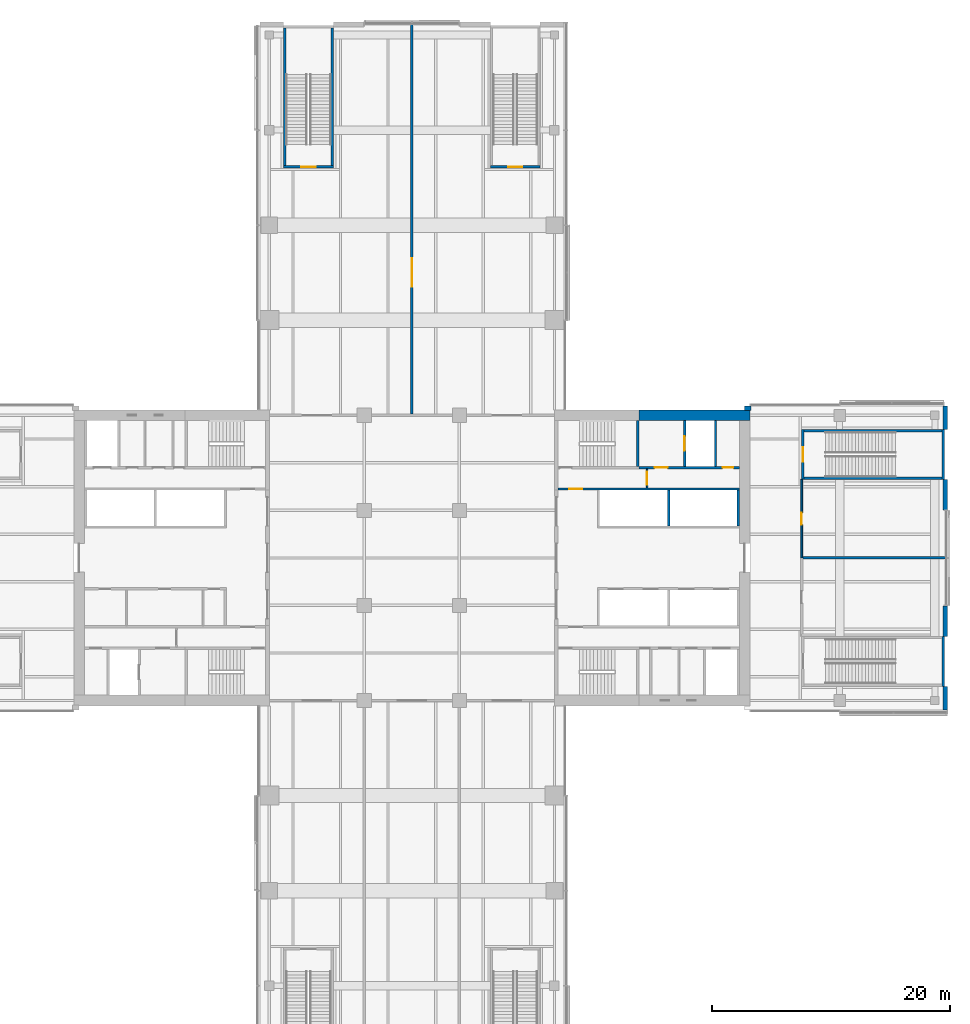
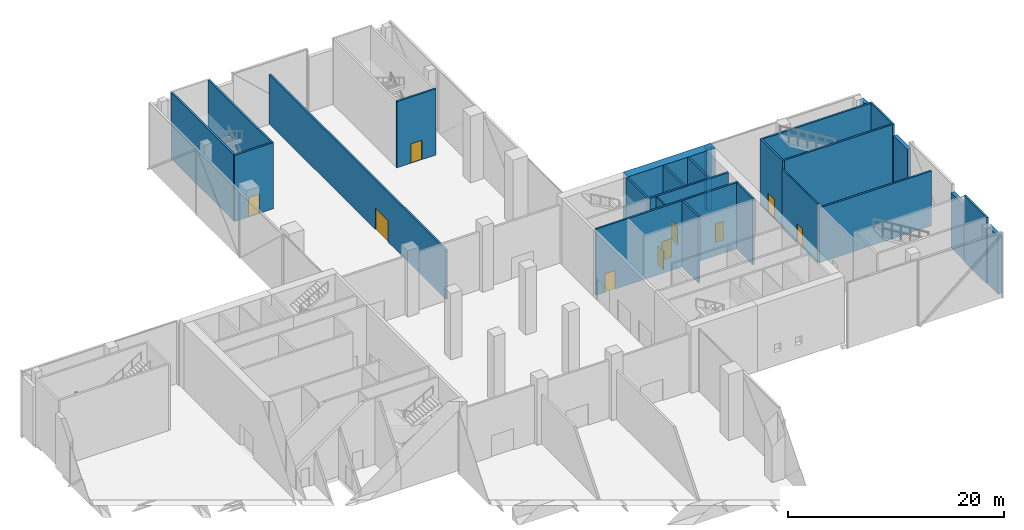
# One storey, part 17 of 25: 26 walls, 10 doors, 10 openings.
"""IFC4 building model written with IfcOpenShell, lengths in metres."""

from ifc_helpers import new_model, si_unit, direction, frame, frame_2d, origin, place, context, subcontext, project, spatial, rectangle, extrude, material, layer, layer_set, constituent, constituent_set, type_object, element, fill, save


model = new_model("IFC4")

# Units and contexts
model_context = context("Model", 3, precision=1e-05, world=origin(), true_north=direction((0.0, 1.0)))
body_context = subcontext(model_context, "Body", "Model", "MODEL_VIEW")
ifc_project = project(units=[si_unit("LENGTHUNIT", "METRE"), si_unit("AREAUNIT", "SQUARE_METRE"), si_unit("VOLUMEUNIT", "CUBIC_METRE"), si_unit("PLANEANGLEUNIT", "RADIAN"), si_unit("MASSUNIT", "GRAM", prefix="KILO")], contexts=[model_context])

# Site, building, storey
site_placement = place(None, origin())
site = spatial("IfcSite", under=ifc_project, at=site_placement, CompositionType="ELEMENT")
building_placement = place(site_placement, origin())
building = spatial("IfcBuilding", under=site, at=building_placement, Name="Crosswind Convention Tower", CompositionType="ELEMENT")
storey_placement = place(building_placement, frame((0.0, 0.0, 17.5)))
storey = spatial("IfcBuildingStorey", under=building, at=storey_placement, Name="L02", CompositionType="ELEMENT", Elevation=17.5)

# Wall, opening, door
ifc_material_1 = material(Name="Plasterboard partition", Category="gypsum")
ifc_layer_1 = layer(ifc_material_1, 0.14990234375)
ifc_layer_set_1 = layer_set([ifc_layer_1], Name="CORRIDOR WALL 150")
wall_type_1 = type_object("IfcWallType", Name="CORRIDOR WALL 150", PredefinedType="PARTITIONING", material=ifc_layer_set_1)
wall_1_placement = place(storey_placement, frame((157.800048828125, 100.0, 0.0), z_axis=(0.0, 0.0, 1.0), x_axis=(0.0, 1.0, 0.0)))
wall_1 = element("IfcWall", 1, at=wall_1_placement, inside=storey, type_object=wall_type_1, Name="Corridor Wall 40", PredefinedType="PARTITIONING", context=body_context, shape_type="SweptSolid", body=[
    extrude(rectangle(XDim=6.60009765625, YDim=0.14990234375, at=frame_2d((3.300048828125, 0.0))), origin(), (0.0, 0.0, 1.0), 6.636474609375),
])
opening_1_placement = place(wall_1_placement, frame((2.800048828125, 0.0, 0.0)))
opening_1 = element("IfcOpeningElement", 2, at=opening_1_placement, cuts=wall_1, Name="Opening 02.008", PredefinedType="OPENING", context=body_context, shape_type="SweptSolid", body=[
    extrude(rectangle(XDim=1.0, YDim=2.10009765625, at=frame_2d((0.5, 1.050048828125))), frame((0.0, 0.0849609375, 0.0), z_axis=(0.0, -1.0, 0.0), x_axis=(1.0, 0.0, 0.0)), (0.0, 0.0, 1.0), 0.169921875),
])
ifc_material_2 = material(Name="Timber fire door", Category="wood")
door_type_1 = type_object("IfcDoorType", Name="SERVICE ROOM DOOR 1000X2100", OperationType="NOTDEFINED", PredefinedType="DOOR", material=ifc_material_2)
door_1_placement = place(opening_1_placement, frame((1.0, 0.0, 0.0), z_axis=(0.0, 0.0, 1.0), x_axis=(-1.0, 0.0, 0.0)))
door_1 = element("IfcDoor", 3, at=door_1_placement, inside=storey, type_object=door_type_1, Name="Door 02.008", ObjectType="D3", OperationType="SINGLE_SWING_RIGHT", OverallHeight=2.10009765625, OverallWidth=1.0, PredefinedType="DOOR", context=body_context, shape_type="SweptSolid", body=[
    extrude(rectangle(XDim=1.0, YDim=2.10009765625, at=frame_2d((0.5, 1.050048828125))), frame((0.0, 0.02490234375, 0.0), z_axis=(0.0, -1.0, 0.0), x_axis=(1.0, 0.0, 0.0)), (0.0, 0.0, 1.0), 0.050048828125),
])
fill(opening_1, door_1)

# Walls
ifc_material_3 = material(Name="Concrete C50/60", Category="concrete")
ifc_layer_2 = layer(ifc_material_3, 0.199951171875)
ifc_layer_set_2 = layer_set([ifc_layer_2], Name="Concrete C50/60")
wall_type_2 = type_object("IfcWallType", Name="Concrete shaft and stair wall 200", PredefinedType="SHEAR", material=ifc_layer_set_2)
for number, where, z_axis, x_axis, name in (
    (4, (146.60009765625, 102.699951171875, 0.0), (0.0, 0.0, 1.0), (0.0, 1.0, 0.0), "Wall RPSEP E L02"),
    (5, (152.449951171875, 102.699951171875, 0.0), (0.0, 0.0, 1.0), (0.0, 1.0, 0.0), "Wall RPEAST E L02"),
):
    element("IfcWall", number, at=place(storey_placement, frame(where, z_axis=z_axis, x_axis=x_axis)), inside=storey, type_object=wall_type_2, Name=name, PredefinedType="SHEAR", context=body_context, shape_type="SweptSolid", body=[
        extrude(rectangle(XDim=3.0, YDim=0.199951171875, at=frame_2d((1.5, 0.0))), origin(), (0.0, 0.0, 1.0), 7.5),
    ])

# Wall, opening, door
wall_2_placement = place(storey_placement, frame((137.300048828125, 105.800048828125, 0.0), z_axis=(0.0, 0.0, 1.0), x_axis=(1.0, 0.0, 0.0)))
wall_2 = element("IfcWall", 6, at=wall_2_placement, inside=storey, type_object=wall_type_2, Name="Wall HP E L02", PredefinedType="SHEAR", context=body_context, shape_type="SweptSolid", body=[
    extrude(rectangle(XDim=15.25, YDim=0.199951171875, at=frame_2d((7.625, 0.0))), origin(), (0.0, 0.0, 1.0), 7.5),
])
opening_2_placement = place(wall_2_placement, frame((0.949951171875, 0.0, 0.0)))
opening_2 = element("IfcOpeningElement", 7, at=opening_2_placement, cuts=wall_2, Name="Opening D104", PredefinedType="OPENING", context=body_context, shape_type="SweptSolid", body=[
    extrude(rectangle(XDim=1.10009765625, YDim=2.10009765625, at=frame_2d((0.550048828125, 1.050048828125))), frame((0.0, 0.10986328125, 0.0), z_axis=(0.0, -1.0, 0.0), x_axis=(1.0, 0.0, 0.0)), (0.0, 0.0, 1.0), 0.219970703125),
])
ifc_material_4 = material(Name="Steel fire door", Category="steel")
door_type_2 = type_object("IfcDoorType", Name="Fire-rated single door 1100x2100", OperationType="NOTDEFINED", PredefinedType="DOOR", material=ifc_material_4)
door_2_placement = place(opening_2_placement, frame((1.10009765625, 0.0, 0.0), z_axis=(0.0, 0.0, 1.0), x_axis=(-1.0, 0.0, 0.0)))
door_2 = element("IfcDoor", 8, at=door_2_placement, inside=storey, type_object=door_type_2, Name="Corridor door L02", ObjectType="D104", OperationType="SINGLE_SWING_RIGHT", OverallHeight=2.10009765625, OverallWidth=1.10009765625, PredefinedType="DOOR", context=body_context, shape_type="SweptSolid", body=[
    extrude(rectangle(XDim=1.10009765625, YDim=2.10009765625, at=frame_2d((0.550048828125, 1.050048828125))), frame((0.0, 0.02490234375, 0.0), z_axis=(0.0, -1.0, 0.0), x_axis=(1.0, 0.0, 0.0)), (0.0, 0.0, 1.0), 0.050048828125),
])
fill(opening_2, door_2)

# Wall
wall_3_placement = place(storey_placement, frame((144.0, 107.699951171875, 0.0), z_axis=(0.0, 0.0, 1.0), x_axis=(0.0, 1.0, 0.0)))
element("IfcWall", 9, at=wall_3_placement, inside=storey, type_object=wall_type_2, Name="Wall PSE E L02", PredefinedType="SHEAR", context=body_context, shape_type="SweptSolid", body=[
    extrude(rectangle(XDim=3.85009765625, YDim=0.199951171875, at=frame_2d((1.925048828125, 0.0))), origin(), (0.0, 0.0, 1.0), 7.5),
])

# Wall, opening, door
wall_4_placement = place(storey_placement, frame((147.949951171875, 107.699951171875, 0.0), z_axis=(0.0, 0.0, 1.0), x_axis=(0.0, 1.0, 0.0)))
wall_4 = element("IfcWall", 10, at=wall_4_placement, inside=storey, type_object=wall_type_2, Name="Wall PFLW E L02", PredefinedType="SHEAR", context=body_context, shape_type="SweptSolid", body=[
    extrude(rectangle(XDim=3.85009765625, YDim=0.199951171875, at=frame_2d((1.925048828125, 0.0))), origin(), (0.0, 0.0, 1.0), 7.5),
])
opening_3_placement = place(wall_4_placement, frame((1.324951171875, 0.0, 0.0)))
opening_3 = element("IfcOpeningElement", 11, at=opening_3_placement, cuts=wall_4, Name="Opening LD1", PredefinedType="OPENING", context=body_context, shape_type="SweptSolid", body=[
    extrude(rectangle(XDim=1.199951171875, YDim=2.10009765625, at=frame_2d((0.60009765625, 1.050048828125))), frame((0.0, 0.10986328125, 0.0), z_axis=(0.0, -1.0, 0.0), x_axis=(1.0, 0.0, 0.0)), (0.0, 0.0, 1.0), 0.219970703125),
])
ifc_material_5 = material(Name="Stainless steel", Category="steel")
door_type_3 = type_object("IfcDoorType", Name="Lift landing door 1200x2100", OperationType="DOUBLE_DOOR_SLIDING", PredefinedType="DOOR", material=ifc_material_5)
door_3_placement = place(opening_3_placement, origin())
door_3 = element("IfcDoor", 12, at=door_3_placement, inside=storey, type_object=door_type_3, Name="Landing door FF1 L02", ObjectType="LD1", OperationType="DOUBLE_DOOR_SLIDING", OverallHeight=2.10009765625, OverallWidth=1.199951171875, PredefinedType="DOOR", context=body_context, shape_type="SweptSolid", body=[
    extrude(rectangle(XDim=1.199951171875, YDim=2.10009765625, at=frame_2d((0.60009765625, 1.050048828125))), frame((0.0, 0.02490234375, 0.0), z_axis=(0.0, -1.0, 0.0), x_axis=(1.0, 0.0, 0.0)), (0.0, 0.0, 1.0), 0.050048828125),
])
fill(opening_3, door_3)

# Wall
wall_5_placement = place(storey_placement, frame((150.550048828125, 107.699951171875, 0.0), z_axis=(0.0, 0.0, 1.0), x_axis=(0.0, 1.0, 0.0)))
element("IfcWall", 13, at=wall_5_placement, inside=storey, type_object=wall_type_2, Name="Wall PFSE E L02", PredefinedType="SHEAR", context=body_context, shape_type="SweptSolid", body=[
    extrude(rectangle(XDim=3.85009765625, YDim=0.199951171875, at=frame_2d((1.925048828125, 0.0))), origin(), (0.0, 0.0, 1.0), 7.5),
])

# Wall, openings, doors
wall_6_placement = place(storey_placement, frame((144.10009765625, 107.60009765625, 0.0), z_axis=(0.0, 0.0, 1.0), x_axis=(1.0, 0.0, 0.0)))
wall_6 = element("IfcWall", 14, at=wall_6_placement, inside=storey, type_object=wall_type_2, Name="Wall PCX E L02", PredefinedType="SHEAR", context=body_context, shape_type="SweptSolid", body=[
    extrude(rectangle(XDim=8.449951171875, YDim=0.199951171875, at=frame_2d((4.22509765625, 0.0))), origin(), (0.0, 0.0, 1.0), 7.5),
])
opening_4_placement = place(wall_6_placement, frame((1.324951171875, 0.0, 0.0)))
opening_4 = element("IfcOpeningElement", 15, at=opening_4_placement, cuts=wall_6, Name="Opening D104", PredefinedType="OPENING", context=body_context, shape_type="SweptSolid", body=[
    extrude(rectangle(XDim=1.10009765625, YDim=2.10009765625, at=frame_2d((0.550048828125, 1.050048828125))), frame((0.0, 0.10986328125, 0.0), z_axis=(0.0, -1.0, 0.0), x_axis=(1.0, 0.0, 0.0)), (0.0, 0.0, 1.0), 0.219970703125),
])
opening_5_placement = place(wall_6_placement, frame((7.050048828125, 0.0, 0.0)))
opening_5 = element("IfcOpeningElement", 16, at=opening_5_placement, cuts=wall_6, Name="Opening D106", PredefinedType="OPENING", context=body_context, shape_type="SweptSolid", body=[
    extrude(rectangle(XDim=0.89990234375, YDim=2.10009765625, at=frame_2d((0.449951171875, 1.050048828125))), frame((0.0, 0.10986328125, 0.0), z_axis=(0.0, -1.0, 0.0), x_axis=(1.0, 0.0, 0.0)), (0.0, 0.0, 1.0), 0.219970703125),
])
door_4_placement = place(opening_4_placement, frame((1.10009765625, 0.0, 0.0), z_axis=(0.0, 0.0, 1.0), x_axis=(-1.0, 0.0, 0.0)))
door_4 = element("IfcDoor", 17, at=door_4_placement, inside=storey, type_object=door_type_2, Name="Fire-fighting lobby FF1 door L02", ObjectType="D104", OperationType="SINGLE_SWING_RIGHT", OverallHeight=2.10009765625, OverallWidth=1.10009765625, PredefinedType="DOOR", context=body_context, shape_type="SweptSolid", body=[
    extrude(rectangle(XDim=1.10009765625, YDim=2.10009765625, at=frame_2d((0.550048828125, 1.050048828125))), frame((0.0, 0.02490234375, 0.0), z_axis=(0.0, -1.0, 0.0), x_axis=(1.0, 0.0, 0.0)), (0.0, 0.0, 1.0), 0.050048828125),
])
fill(opening_4, door_4)
ifc_material_6 = material(Name="Timber door", Category="wood")
door_type_4 = type_object("IfcDoorType", Name="Single leaf door 900x2100", OperationType="NOTDEFINED", PredefinedType="DOOR", material=ifc_material_6)
door_5_placement = place(opening_5_placement, origin())
door_5 = element("IfcDoor", 18, at=door_5_placement, inside=storey, type_object=door_type_4, Name="Door to electrical room L02", ObjectType="D106", OperationType="SINGLE_SWING_RIGHT", OverallHeight=2.10009765625, OverallWidth=0.89990234375, PredefinedType="DOOR", context=body_context, shape_type="SweptSolid", body=[
    extrude(rectangle(XDim=0.89990234375, YDim=2.10009765625, at=frame_2d((0.449951171875, 1.050048828125))), frame((0.0, 0.02490234375, 0.0), z_axis=(0.0, -1.0, 0.0), x_axis=(1.0, 0.0, 0.0)), (0.0, 0.0, 1.0), 0.050048828125),
])
fill(opening_5, door_5)

# Wall, opening, door
ifc_material_7 = material(Name="Gypsum plasterboard partition", Category="gypsum")
ifc_layer_3 = layer(ifc_material_7, 0.125)
ifc_layer_set_3 = layer_set([ifc_layer_3], Name="Drywall partition wall 125")
wall_type_3 = type_object("IfcWallType", Name="Drywall partition wall 125", PredefinedType="PARTITIONING", material=ifc_layer_set_3)
wall_7_placement = place(storey_placement, frame((144.800048828125, 105.89990234375, 0.0), z_axis=(0.0, 0.0, 1.0), x_axis=(0.0, 1.0, 0.0)))
wall_7 = element("IfcWall", 19, at=wall_7_placement, inside=storey, type_object=wall_type_3, Name="Wall PXC1 E L02", PredefinedType="PARTITIONING", context=body_context, shape_type="SweptSolid", body=[
    extrude(rectangle(XDim=1.60009765625, YDim=0.125, at=frame_2d((0.800048828125, 0.0))), origin(), (0.0, 0.0, 1.0), 7.5),
])
opening_6_placement = place(wall_7_placement, frame((0.25, 0.0, 0.0)))
opening_6 = element("IfcOpeningElement", 20, at=opening_6_placement, cuts=wall_7, Name="Opening D104", PredefinedType="OPENING", context=body_context, shape_type="SweptSolid", body=[
    extrude(rectangle(XDim=1.10009765625, YDim=2.10009765625, at=frame_2d((0.550048828125, 1.050048828125))), frame((0.0, 0.072509765625, 0.0), z_axis=(0.0, -1.0, 0.0), x_axis=(1.0, 0.0, 0.0)), (0.0, 0.0, 1.0), 0.14501953125),
])
door_6_placement = place(opening_6_placement, origin())
door_6 = element("IfcDoor", 21, at=door_6_placement, inside=storey, type_object=door_type_2, Name="Corridor smoke door L02", ObjectType="D104", OperationType="SINGLE_SWING_RIGHT", OverallHeight=2.10009765625, OverallWidth=1.10009765625, PredefinedType="DOOR", context=body_context, shape_type="SweptSolid", body=[
    extrude(rectangle(XDim=1.10009765625, YDim=2.10009765625, at=frame_2d((0.550048828125, 1.050048828125))), frame((0.0, 0.02490234375, 0.0), z_axis=(0.0, -1.0, 0.0), x_axis=(1.0, 0.0, 0.0)), (0.0, 0.0, 1.0), 0.050048828125),
])
fill(opening_6, door_6)

# Wall
ifc_material_8 = material(Name="Double plasterboard partition", Category="gypsum")
ifc_layer_4 = layer(ifc_material_8, 0.199951171875)
ifc_layer_set_4 = layer_set([ifc_layer_4], Name="HALL WALL 200")
wall_type_4 = type_object("IfcWallType", Name="HALL WALL 200", PredefinedType="PARTITIONING", material=ifc_layer_set_4)
wall_8_placement = place(storey_placement, frame((157.875, 100.0, 0.0), z_axis=(0.0, 0.0, 1.0), x_axis=(1.0, 0.0, 0.0)))
element("IfcWall", 22, at=wall_8_placement, inside=storey, type_object=wall_type_4, Name="Hall Wall 12", PredefinedType="PARTITIONING", context=body_context, shape_type="SweptSolid", body=[
    extrude(rectangle(XDim=12.02490234375, YDim=0.199951171875, at=frame_2d((6.012451171875, 0.0))), origin(), (0.0, 0.0, 1.0), 6.199951171875),
])

# Wall, opening, door
wall_9_placement = place(storey_placement, frame((125.0, 112.10009765625, 0.0), z_axis=(0.0, 0.0, 1.0), x_axis=(0.0, 1.0, 0.0)))
wall_9 = element("IfcWall", 23, at=wall_9_placement, inside=storey, type_object=wall_type_4, Name="Hall Wall 33", PredefinedType="PARTITIONING", context=body_context, shape_type="SweptSolid", body=[
    extrude(rectangle(XDim=32.7998046875, YDim=0.199951171875, at=frame_2d((16.39990234375, 0.0))), origin(), (0.0, 0.0, 1.0), 5.60009765625),
])
opening_7_placement = place(wall_9_placement, frame((10.699951171875, 0.0, 0.0)))
opening_7 = element("IfcOpeningElement", 24, at=opening_7_placement, cuts=wall_9, Name="Opening 02.003", PredefinedType="OPENING", context=body_context, shape_type="SweptSolid", body=[
    extrude(rectangle(XDim=2.39990234375, YDim=2.39990234375, at=frame_2d((1.199951171875, 1.199951171875))), frame((0.0, 0.10986328125, 0.0), z_axis=(0.0, -1.0, 0.0), x_axis=(1.0, 0.0, 0.0)), (0.0, 0.0, 1.0), 0.219970703125),
])
door_type_5 = type_object("IfcDoorType", Name="BALLROOM DOUBLE DOOR 2400X2400", OperationType="DOUBLE_DOOR_SINGLE_SWING", PredefinedType="DOOR", material=ifc_material_2)
door_7_placement = place(opening_7_placement, origin())
door_7 = element("IfcDoor", 25, at=door_7_placement, inside=storey, type_object=door_type_5, Name="Door 02.003", ObjectType="D8", OperationType="DOUBLE_DOOR_SINGLE_SWING", OverallHeight=2.39990234375, OverallWidth=2.39990234375, PredefinedType="DOOR", context=body_context, shape_type="SweptSolid", body=[
    extrude(rectangle(XDim=2.39990234375, YDim=2.39990234375, at=frame_2d((1.199951171875, 1.199951171875))), frame((0.0, 0.02490234375, 0.0), z_axis=(0.0, -1.0, 0.0), x_axis=(1.0, 0.0, 0.0)), (0.0, 0.0, 1.0), 0.050048828125),
])
fill(opening_7, door_7)

# Walls
ifc_material_9 = material(Name="Concrete C40/50", Category="concrete")
ifc_layer_5 = layer(ifc_material_9, 0.199951171875)
ifc_layer_set_5 = layer_set([ifc_layer_5], Name="Concrete C40/50")
wall_type_5 = type_object("IfcWallType", Name="STAIR ENCLOSURE WALL 200", PredefinedType="SOLIDWALL", material=ifc_layer_set_5)
for number, where, z_axis, x_axis, name in (
    (26, (158.0, 106.699951171875, 0.0), (0.0, 0.0, 1.0), (1.0, 0.0, 0.0), "Stair Enclosure Wall 14"),
    (27, (158.0, 110.699951171875, 0.0), (0.0, 0.0, 1.0), (1.0, 0.0, 0.0), "Stair Enclosure Wall 16"),
):
    element("IfcWall", number, at=place(storey_placement, frame(where, z_axis=z_axis, x_axis=x_axis)), inside=storey, type_object=wall_type_5, Name=name, PredefinedType="SOLIDWALL", context=body_context, shape_type="SweptSolid", body=[
        extrude(rectangle(XDim=11.60009765625, YDim=0.199951171875, at=frame_2d((5.800048828125, 0.0))), origin(), (0.0, 0.0, 1.0), 7.5),
    ])

# Wall, opening, door
wall_10_placement = place(storey_placement, frame((114.199951171875, 132.89990234375, 0.0), z_axis=(0.0, 0.0, 1.0), x_axis=(1.0, 0.0, 0.0)))
wall_10 = element("IfcWall", 28, at=wall_10_placement, inside=storey, type_object=wall_type_5, Name="Stair Enclosure Wall 20", PredefinedType="SOLIDWALL", context=body_context, shape_type="SweptSolid", body=[
    extrude(rectangle(XDim=4.199951171875, YDim=0.199951171875, at=frame_2d((2.10009765625, 0.0))), origin(), (0.0, 0.0, 1.0), 7.5),
])
opening_8_placement = place(wall_10_placement, frame((1.5, 0.0, 0.0)))
opening_8 = element("IfcOpeningElement", 29, at=opening_8_placement, cuts=wall_10, Name="Opening 02.011", PredefinedType="OPENING", context=body_context, shape_type="SweptSolid", body=[
    extrude(rectangle(XDim=1.199951171875, YDim=2.199951171875, at=frame_2d((0.60009765625, 1.10009765625))), frame((0.0, 0.10986328125, 0.0), z_axis=(0.0, -1.0, 0.0), x_axis=(1.0, 0.0, 0.0)), (0.0, 0.0, 1.0), 0.219970703125),
])
door_type_6 = type_object("IfcDoorType", Name="STAIR DOOR 1200X2200", OperationType="NOTDEFINED", PredefinedType="DOOR", material=ifc_material_4)
door_8_placement = place(opening_8_placement, origin())
door_8 = element("IfcDoor", 30, at=door_8_placement, inside=storey, type_object=door_type_6, Name="Door 02.011", ObjectType="D4", OperationType="SINGLE_SWING_RIGHT", OverallHeight=2.199951171875, OverallWidth=1.199951171875, PredefinedType="DOOR", context=body_context, shape_type="SweptSolid", body=[
    extrude(rectangle(XDim=1.199951171875, YDim=2.199951171875, at=frame_2d((0.60009765625, 1.10009765625))), frame((0.0, 0.02490234375, 0.0), z_axis=(0.0, -1.0, 0.0), x_axis=(1.0, 0.0, 0.0)), (0.0, 0.0, 1.0), 0.050048828125),
])
fill(opening_8, door_8)

wall_11_placement = place(storey_placement, frame((131.60009765625, 132.89990234375, 0.0), z_axis=(0.0, 0.0, 1.0), x_axis=(1.0, 0.0, 0.0)))
wall_11 = element("IfcWall", 31, at=wall_11_placement, inside=storey, type_object=wall_type_5, Name="Stair Enclosure Wall 21", PredefinedType="SOLIDWALL", context=body_context, shape_type="SweptSolid", body=[
    extrude(rectangle(XDim=4.199951171875, YDim=0.199951171875, at=frame_2d((2.10009765625, 0.0))), origin(), (0.0, 0.0, 1.0), 7.5),
])
opening_9_placement = place(wall_11_placement, frame((1.5, 0.0, 0.0)))
opening_9 = element("IfcOpeningElement", 32, at=opening_9_placement, cuts=wall_11, Name="Opening 02.012", PredefinedType="OPENING", context=body_context, shape_type="SweptSolid", body=[
    extrude(rectangle(XDim=1.199951171875, YDim=2.199951171875, at=frame_2d((0.60009765625, 1.10009765625))), frame((0.0, 0.10986328125, 0.0), z_axis=(0.0, -1.0, 0.0), x_axis=(1.0, 0.0, 0.0)), (0.0, 0.0, 1.0), 0.219970703125),
])
door_9_placement = place(opening_9_placement, origin())
door_9 = element("IfcDoor", 33, at=door_9_placement, inside=storey, type_object=door_type_6, Name="Door 02.012", ObjectType="D4", OperationType="SINGLE_SWING_RIGHT", OverallHeight=2.199951171875, OverallWidth=1.199951171875, PredefinedType="DOOR", context=body_context, shape_type="SweptSolid", body=[
    extrude(rectangle(XDim=1.199951171875, YDim=2.199951171875, at=frame_2d((0.60009765625, 1.10009765625))), frame((0.0, 0.02490234375, 0.0), z_axis=(0.0, -1.0, 0.0), x_axis=(1.0, 0.0, 0.0)), (0.0, 0.0, 1.0), 0.050048828125),
])
fill(opening_9, door_9)

# Walls
for number, where, z_axis, x_axis, name in (
    (34, (114.300048828125, 133.0, 0.0), (0.0, 0.0, 1.0), (0.0, 1.0, 0.0), "Stair Enclosure Wall 29"),
    (35, (118.300048828125, 133.0, 0.0), (0.0, 0.0, 1.0), (0.0, 1.0, 0.0), "Stair Enclosure Wall 31"),
):
    element("IfcWall", number, at=place(storey_placement, frame(where, z_axis=z_axis, x_axis=x_axis)), inside=storey, type_object=wall_type_5, Name=name, PredefinedType="SOLIDWALL", context=body_context, shape_type="SweptSolid", body=[
        extrude(rectangle(XDim=11.60009765625, YDim=0.199951171875, at=frame_2d((5.800048828125, 0.0))), origin(), (0.0, 0.0, 1.0), 7.5),
    ])

# Wall, opening, door
wall_12_placement = place(storey_placement, frame((157.89990234375, 106.60009765625, 0.0), z_axis=(0.0, 0.0, 1.0), x_axis=(0.0, 1.0, 0.0)))
wall_12 = element("IfcWall", 36, at=wall_12_placement, inside=storey, type_object=wall_type_5, Name="Stair Enclosure Wall 42", PredefinedType="SOLIDWALL", context=body_context, shape_type="SweptSolid", body=[
    extrude(rectangle(XDim=4.199951171875, YDim=0.199951171875, at=frame_2d((2.10009765625, 0.0))), origin(), (0.0, 0.0, 1.0), 7.5),
])
opening_10_placement = place(wall_12_placement, frame((1.5, 0.0, 0.0)))
opening_10 = element("IfcOpeningElement", 37, at=opening_10_placement, cuts=wall_12, Name="Opening 02.010", PredefinedType="OPENING", context=body_context, shape_type="SweptSolid", body=[
    extrude(rectangle(XDim=1.199951171875, YDim=2.199951171875, at=frame_2d((0.60009765625, 1.10009765625))), frame((0.0, 0.10986328125, 0.0), z_axis=(0.0, -1.0, 0.0), x_axis=(1.0, 0.0, 0.0)), (0.0, 0.0, 1.0), 0.219970703125),
])
door_10_placement = place(opening_10_placement, frame((1.199951171875, 0.0, 0.0), z_axis=(0.0, 0.0, 1.0), x_axis=(-1.0, 0.0, 0.0)))
door_10 = element("IfcDoor", 38, at=door_10_placement, inside=storey, type_object=door_type_6, Name="Door 02.010", ObjectType="D4", OperationType="SINGLE_SWING_LEFT", OverallHeight=2.199951171875, OverallWidth=1.199951171875, PredefinedType="DOOR", context=body_context, shape_type="SweptSolid", body=[
    extrude(rectangle(XDim=1.199951171875, YDim=2.199951171875, at=frame_2d((0.60009765625, 1.10009765625))), frame((0.0, 0.02490234375, 0.0), z_axis=(0.0, -1.0, 0.0), x_axis=(1.0, 0.0, 0.0)), (0.0, 0.0, 1.0), 0.050048828125),
])
fill(opening_10, door_10)

# Walls
for number, where, z_axis, x_axis, name in (
    (39, (169.699951171875, 89.199951171875, 0.0), (0.0, 0.0, 1.0), (0.0, 1.0, 0.0), "Stair Enclosure Wall 43"),
    (40, (169.699951171875, 106.60009765625, 0.0), (0.0, 0.0, 1.0), (0.0, 1.0, 0.0), "Stair Enclosure Wall 44"),
):
    element("IfcWall", number, at=place(storey_placement, frame(where, z_axis=z_axis, x_axis=x_axis)), inside=storey, type_object=wall_type_5, Name=name, PredefinedType="SOLIDWALL", context=body_context, shape_type="SweptSolid", body=[
        extrude(rectangle(XDim=4.199951171875, YDim=0.199951171875, at=frame_2d((2.10009765625, 0.0))), origin(), (0.0, 0.0, 1.0), 7.5),
    ])
ifc_material_10 = material(Name="Terracotta rainscreen", Category="ceramic")
ifc_layer_6 = layer(ifc_material_10, 0.02001953125)
ifc_material_11 = material(Name="Mineral wool insulation", Category="insulation")
ifc_layer_7 = layer(ifc_material_11, 0.10009765625)
ifc_material_12 = material(Name="Concrete blockwork", Category="masonry")
ifc_layer_8 = layer(ifc_material_12, 0.285888671875)
ifc_layer_set_6 = layer_set([ifc_layer_6, ifc_layer_7, ifc_layer_8], Name="TERRACOTTA CORNER INFILL WALL 406")
wall_type_6 = type_object("IfcWallType", Name="TERRACOTTA CORNER INFILL WALL 406", PredefinedType="SOLIDWALL", material=ifc_layer_set_6)
wall_13_placement = place(storey_placement, frame((153.0, 112.596923828125, 0.0), z_axis=(0.0, 0.0, 1.0), x_axis=(1.0, 0.0, 0.0)))
element("IfcWall", 41, at=wall_13_placement, inside=storey, type_object=wall_type_6, Name="Core corner infill wall L02 1", PredefinedType="SOLIDWALL", context=body_context, shape_type="SweptSolid", body=[
    extrude(rectangle(XDim=0.554931640625, YDim=0.406005859375, at=frame_2d((0.27734375, 0.0))), origin(), (0.0, 0.0, 1.0), 7.10009765625),
])
ifc_layer_9 = layer(ifc_material_10, 0.02001953125)
ifc_layer_10 = layer(ifc_material_11, 0.10009765625)
ifc_layer_11 = layer(ifc_material_12, 0.280029296875)
ifc_layer_set_7 = layer_set([ifc_layer_9, ifc_layer_10, ifc_layer_11], Name="TERRACOTTA INFILL WALL 400")
wall_type_7 = type_object("IfcWallType", Name="TERRACOTTA INFILL WALL 400", PredefinedType="SOLIDWALL", material=ifc_layer_set_7)
wall_14_placement = place(storey_placement, frame((169.885009765625, 87.199951171875, 0.0), z_axis=(0.0, 0.0, 1.0), x_axis=(0.0, 1.0, 0.0)))
element("IfcWall", 42, at=wall_14_placement, inside=storey, type_object=wall_type_7, Name="Stair enclosure side wall L02 E-TIP.1-1.1", PredefinedType="SOLIDWALL", context=body_context, shape_type="SweptSolid", body=[
    extrude(rectangle(XDim=2.0, YDim=0.39990234375, at=frame_2d((1.0, 0.0))), origin(), (0.0, 0.0, 1.0), 6.60009765625),
])
for number, where, z_axis, x_axis, name in (
    (43, (169.885009765625, 93.39990234375, 0.0), (0.0, 0.0, 1.0), (0.0, 1.0, 0.0), "Stair enclosure side wall L02 E-TIP.1-1.2"),
    (44, (169.885009765625, 104.0400390625, 0.0), (0.0, 0.0, 1.0), (0.0, 1.0, 0.0), "Stair enclosure side wall L02 E-TIP.1-3.1"),
):
    element("IfcWall", number, at=place(storey_placement, frame(where, z_axis=z_axis, x_axis=x_axis)), inside=storey, type_object=wall_type_7, Name=name, PredefinedType="SOLIDWALL", context=body_context, shape_type="SweptSolid", body=[
        extrude(rectangle(XDim=2.56005859375, YDim=0.39990234375, at=frame_2d((1.280029296875, 0.0))), origin(), (0.0, 0.0, 1.0), 6.199951171875),
    ])
wall_15_placement = place(storey_placement, frame((169.885009765625, 110.800048828125, 0.0), z_axis=(0.0, 0.0, 1.0), x_axis=(0.0, 1.0, 0.0)))
element("IfcWall", 45, at=wall_15_placement, inside=storey, type_object=wall_type_7, Name="Stair enclosure side wall L02 E-TIP.1-3.2", PredefinedType="SOLIDWALL", context=body_context, shape_type="SweptSolid", body=[
    extrude(rectangle(XDim=2.0, YDim=0.39990234375, at=frame_2d((1.0, 0.0))), origin(), (0.0, 0.0, 1.0), 6.60009765625),
])
ifc_material_13 = material(Name="Concrete C60/75", Category="concrete")
ifc_constituent_1 = constituent(ifc_material_13, Name="Structure")
ifc_constituent_2 = constituent(ifc_material_10, Name="Facing")
ifc_constituent_set = constituent_set(constituents=[ifc_constituent_1, ifc_constituent_2], Name="Concrete C60/75, Terracotta rainscreen")
wall_type_8 = type_object("IfcWallType", Name="Terracotta rainscreen on concrete core wall 900", PredefinedType="SHEAR", material=ifc_constituent_set)
wall_16_placement = place(storey_placement, frame((144.10009765625, 112.0, 0.0), z_axis=(0.0, 0.0, 1.0), x_axis=(1.0, 0.0, 0.0)))
element("IfcWall", 46, at=wall_16_placement, inside=storey, type_object=wall_type_8, Name="Wall N2 E L02", PredefinedType="SHEAR", context=body_context, shape_type="SweptSolid", body=[
    extrude(rectangle(XDim=9.349853515625, YDim=0.89990234375, at=frame_2d((4.6748046875, 0.0))), origin(), (0.0, 0.0, 1.0), 7.5),
])

save(model, "model.ifc")
